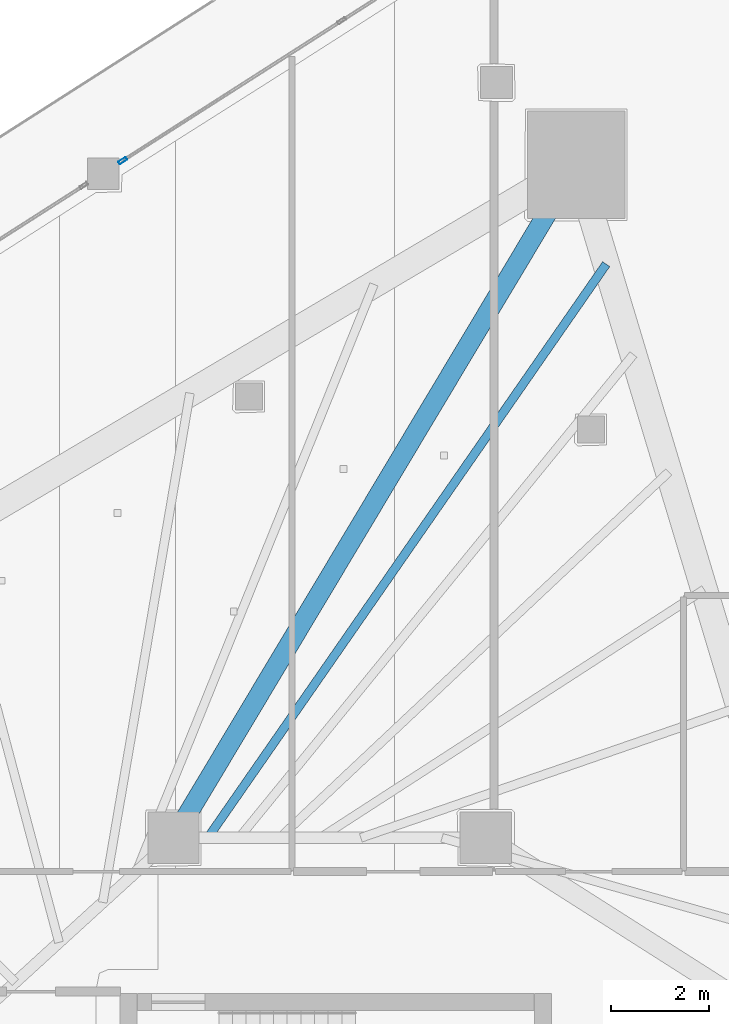
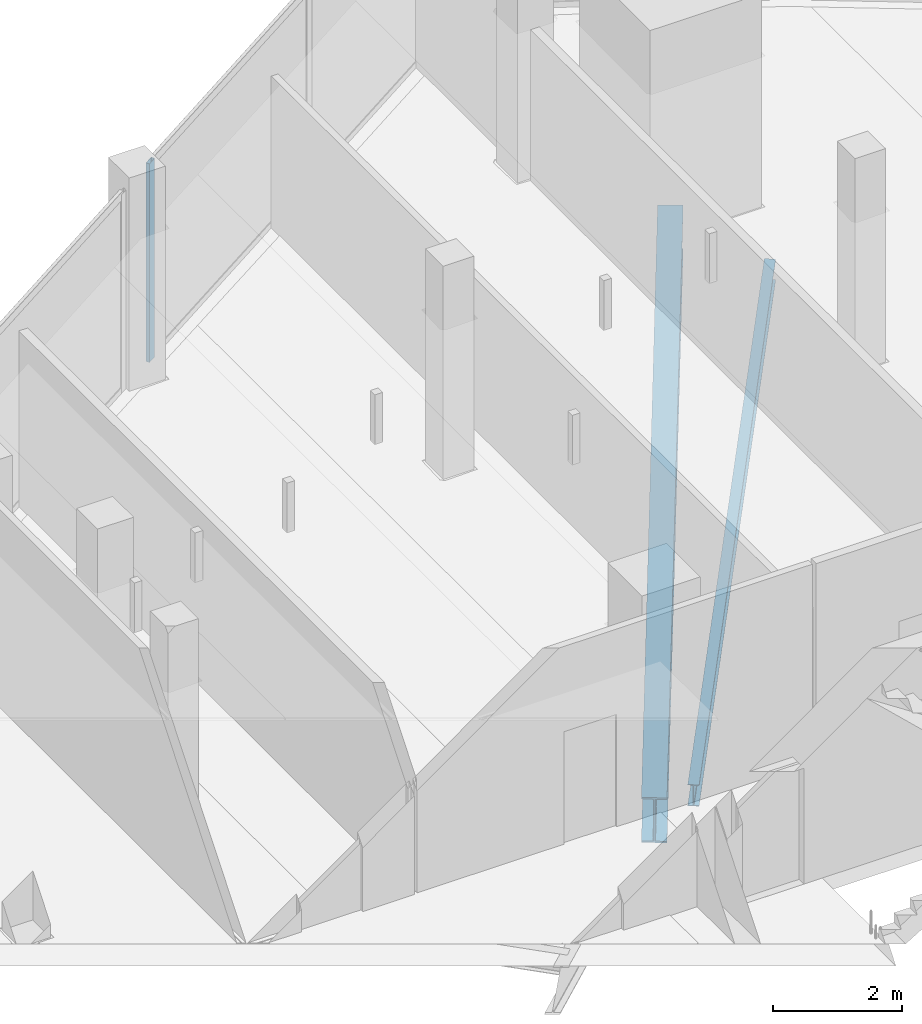
# One storey, part 22 of 44: 2 beams, 1 member, 1 element without a shape of its own.
"""IFC4 building model written with IfcOpenShell, lengths in metres."""

from ifc_helpers import new_model, si_unit, direction, frame, origin, origin_2d, place, context, subcontext, project, spatial, hollow_rectangle, i_section, extrude, material, layer, layer_set, material_profile, profile_set, type_object, element, aggregate, save


model = new_model("IFC4")

# Units and contexts
model_context = context("Model", 3, precision=1e-05, world=origin(), true_north=direction((0.0, 1.0)))
body_context = subcontext(model_context, "Body", "Model", "MODEL_VIEW")
ifc_project = project(units=[si_unit("LENGTHUNIT", "METRE"), si_unit("AREAUNIT", "SQUARE_METRE"), si_unit("VOLUMEUNIT", "CUBIC_METRE"), si_unit("PLANEANGLEUNIT", "RADIAN"), si_unit("MASSUNIT", "GRAM", prefix="KILO")], contexts=[model_context])

# Site, building, storey
site_placement = place(None, origin())
site = spatial("IfcSite", under=ifc_project, at=site_placement, CompositionType="ELEMENT")
building_placement = place(site_placement, origin())
building = spatial("IfcBuilding", under=site, at=building_placement, Name="Qorvath Tower", CompositionType="ELEMENT")
storey_placement = place(building_placement, frame((0.0, 0.0, 113.85009765625)))
storey = spatial("IfcBuildingStorey", under=building, at=storey_placement, Name="L25", CompositionType="ELEMENT", Elevation=113.85009765625)

# Beams
ifc_material_1 = material(Name="Steel ASTM A992 Grade 50", Category="steel")
ifc_material_profile_1 = material_profile(ifc_material_1, i_section(OverallWidth=0.39892578125, OverallDepth=0.85498046875, WebThickness=0.018310546875, FlangeThickness=0.029296875, FilletRadius=0.02001953125, at=origin_2d()), Name="W33x201")
ifc_profile_set_1 = profile_set([ifc_material_profile_1], Name="Steel ASTM A992 Grade 50")
beam_type_1 = type_object("IfcBeamType", Name="BM-FG2", PredefinedType="BEAM", material=ifc_profile_set_1)
beam_1_placement = place(storey_placement, frame((-23.60009765625, 11.449951171875, -0.70751953125), z_axis=(0.513497213955, 0.85809126045, 0.0), x_axis=(-0.85809126045, 0.513497213955, 0.0)))
element("IfcBeam", 1, at=beam_1_placement, inside=storey, type_object=beam_type_1, Name="Radial Floor Girder CC1-MC6 L25", PredefinedType="BEAM", context=body_context, shape_type="SweptSolid", body=[
    extrude(i_section(OverallWidth=0.39892578125, OverallDepth=0.85498046875, WebThickness=0.018310546875, FlangeThickness=0.029296875, FilletRadius=0.02001953125, at=origin_2d()), origin(), (0.0, 0.0, 1.0), 16.07763671875),
])
ifc_material_2 = material(Name="Steel ASTM A992 Grade 50", Category="steel")
ifc_material_profile_2 = material_profile(ifc_material_2, i_section(OverallWidth=0.177978515625, OverallDepth=0.406005859375, WebThickness=0.0078125, FlangeThickness=0.0126953125, FilletRadius=0.010986328125, at=origin_2d()), Name="W16x40")
ifc_profile_set_2 = profile_set([ifc_material_profile_2], Name="Steel ASTM A992 Grade 50")
beam_type_2 = type_object("IfcBeamType", Name="BM-FJ3", PredefinedType="JOIST", material=ifc_profile_set_2)
beam_2_placement = place(storey_placement, frame((-22.89599609375, 11.449951171875, -0.48291015625), z_axis=(0.570366725248, 0.821390162304, 0.0), x_axis=(-0.821390162304, 0.570366725248, 0.0)))
element("IfcBeam", 2, at=beam_2_placement, inside=storey, type_object=beam_type_2, Name="Composite Floor Joist NE7 L25", PredefinedType="JOIST", context=body_context, shape_type="SweptSolid", body=[
    extrude(i_section(OverallWidth=0.177978515625, OverallDepth=0.406005859375, WebThickness=0.0078125, FlangeThickness=0.0126953125, FilletRadius=0.010986328125, at=origin_2d()), origin(), (0.0, 0.0, 1.0), 14.3154296875),
])

# Curtain wall, member
ifc_material_3 = material(Name="Anodised aluminium and triple low-E glass", Category="aluminium")
ifc_layer = layer(ifc_material_3, 0.179931640625)
ifc_layer_set = layer_set([ifc_layer], Name="CW-SYS-2")
curtain_wall_type = type_object("IfcCurtainWallType", Name="CW-SYS-2", PredefinedType="NOTDEFINED", material=ifc_layer_set)
curtain_wall_placement = place(storey_placement, origin())
curtain_wall = element("IfcCurtainWall", 3, at=curtain_wall_placement, inside=storey, type_object=curtain_wall_type, Name="Curtain Wall CW-2 CW-T-L25-16.1", PredefinedType="NOTDEFINED")
ifc_material_4 = material(Name="Anodised aluminium 6063-T6", Category="aluminium")
ifc_material_profile_3 = material_profile(ifc_material_4, hollow_rectangle(XDim=0.06494140625, YDim=0.179931640625, WallThickness=0.00341796875, InnerFilletRadius=0.00341796875, OuterFilletRadius=0.007080078125, at=origin_2d()), Name="CWM 180x65")
ifc_profile_set_3 = profile_set([ifc_material_profile_3], Name="Anodised aluminium 6063-T6")
member_type = type_object("IfcMemberType", Name="CWM-180", PredefinedType="MULLION", material=ifc_profile_set_3)
member_placement = place(storey_placement, frame((-24.64013671875, 25.327880859375, 0.0), z_axis=(0.0, 0.0, 1.0), x_axis=(0.538532879619, -0.842604496528, 0.0)))
member = element("IfcMember", 4, at=member_placement, type_object=member_type, Name="CW-2 mullion 3", PredefinedType="MULLION", context=body_context, shape_type="SweptSolid", body=[
    extrude(hollow_rectangle(XDim=0.06494140625, YDim=0.179931640625, WallThickness=0.00341796875, InnerFilletRadius=0.00341796875, OuterFilletRadius=0.007080078125, at=origin_2d()), origin(), (0.0, 0.0, 1.0), 3.77001953125),
])
aggregate(curtain_wall, [member])

save(model, "model.ifc")
